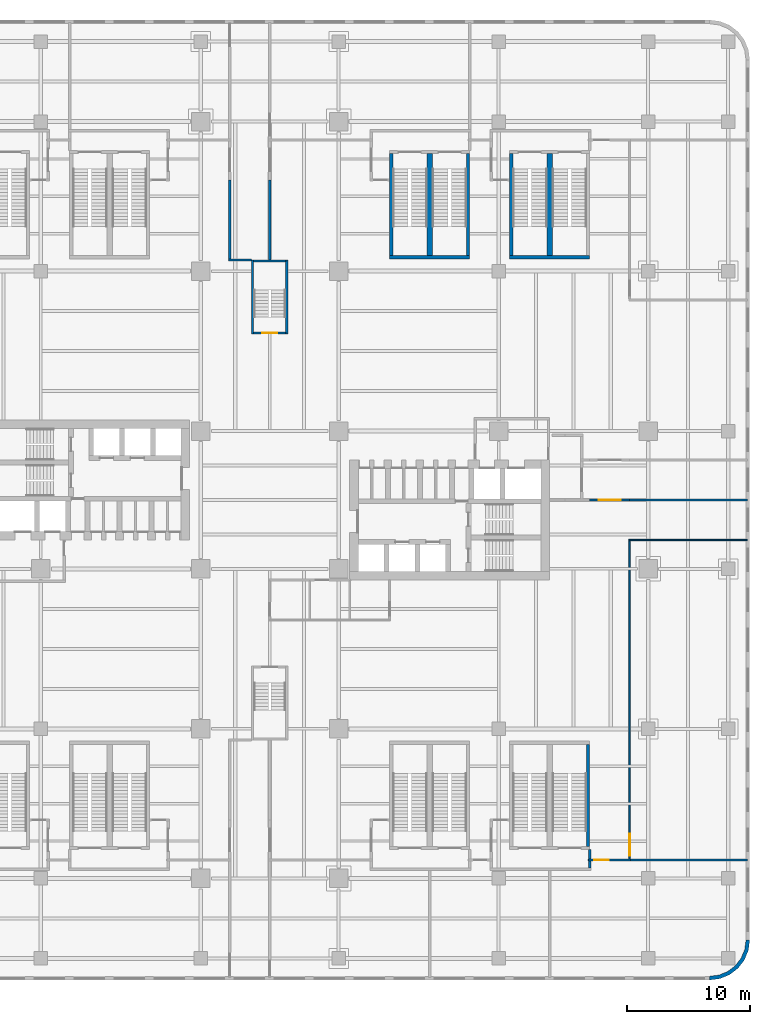
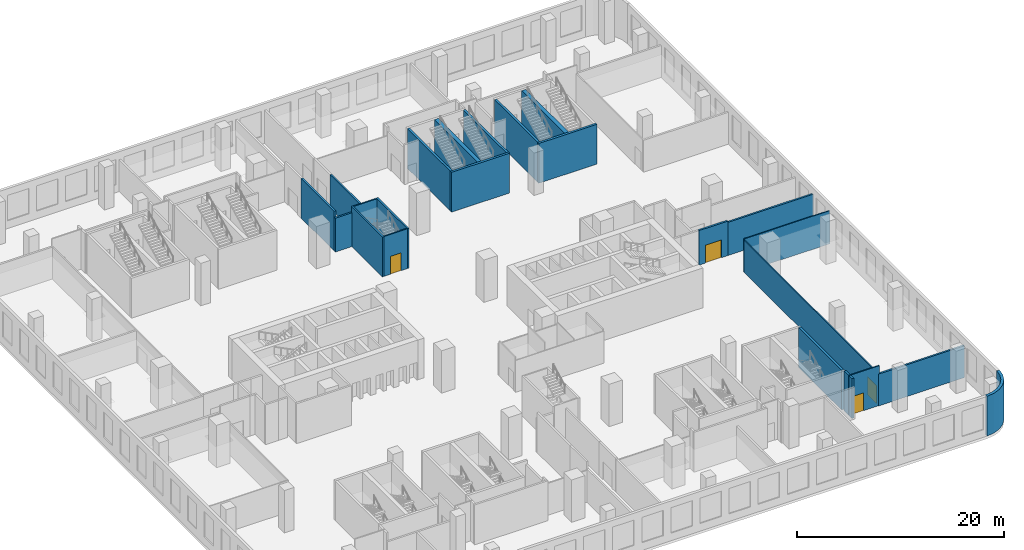
# One storey, part 11 of 17: 24 walls, 4 doors, 4 openings.
"""IFC4 building model written with IfcOpenShell, lengths in metres."""

from ifc_helpers import new_model, si_unit, direction, frame, frame_2d, origin, place, context, subcontext, project, spatial, polyline, rectangle, outline, extrude, source, transform, mapped, material, layer, layer_set, type_object, element, fill, save


model = new_model("IFC4")

# Units and contexts
model_context = context("Model", 3, precision=1e-05, world=origin(), true_north=direction((0.0, 1.0)))
body_context = subcontext(model_context, "Body", "Model", "MODEL_VIEW")
ifc_project = project(units=[si_unit("LENGTHUNIT", "METRE"), si_unit("AREAUNIT", "SQUARE_METRE"), si_unit("VOLUMEUNIT", "CUBIC_METRE"), si_unit("PLANEANGLEUNIT", "RADIAN"), si_unit("MASSUNIT", "GRAM", prefix="KILO")], contexts=[model_context])

# Site, building, storey
site_placement = place(None, origin())
site = spatial("IfcSite", under=ifc_project, at=site_placement, CompositionType="ELEMENT")
building_placement = place(site_placement, origin())
building = spatial("IfcBuilding", under=site, at=building_placement, Name="Trellis Farm Tower", CompositionType="ELEMENT")
storey_placement = place(building_placement, frame((0.0, 0.0, 19.0)))
storey = spatial("IfcBuildingStorey", under=building, at=storey_placement, Name="L03", CompositionType="ELEMENT", Elevation=19.0)

# Wall
ifc_material_1 = material(Name="Plasterboard on steel studs", Category="steel")
ifc_layer_1 = layer(ifc_material_1, 0.10009765625)
ifc_layer_set_1 = layer_set([ifc_layer_1], Name="PARTITION 100 STUD EI 30")
wall_type_1 = type_object("IfcWallType", Name="PARTITION 100 STUD EI 30", PredefinedType="PARTITIONING", material=ifc_layer_set_1)
wall_1_placement = place(storey_placement, frame((29.1875, -3.25, 0.0), z_axis=(0.0, 0.0, 1.0), x_axis=(1.0, 0.0, 0.0)))
element("IfcWall", 1, at=wall_1_placement, inside=storey, type_object=wall_type_1, Name="Partition PW2", PredefinedType="PARTITIONING", context=body_context, shape_type="SweptSolid", body=[
    extrude(rectangle(XDim=9.612548828125, YDim=0.10009765625, at=frame_2d((4.80615234375, 0.0))), origin(), (0.0, 0.0, 1.0), 3.917724609375),
])

# Wall, opening, door
ifc_material_2 = material(Name="Plasterboard on steel studs, mineral wool", Category="steel")
ifc_layer_2 = layer(ifc_material_2, 0.125)
ifc_layer_set_2 = layer_set([ifc_layer_2], Name="PARTITION 125 STUD EI 60")
wall_type_2 = type_object("IfcWallType", Name="PARTITION 125 STUD EI 60", PredefinedType="PARTITIONING", material=ifc_layer_set_2)
wall_2_placement = place(storey_placement, frame((29.25, -3.300048828125, 0.0), z_axis=(0.0, 0.0, 1.0), x_axis=(0.0, -1.0, 0.0)))
wall_2 = element("IfcWall", 2, at=wall_2_placement, inside=storey, type_object=wall_type_2, Name="Partition PW1", PredefinedType="PARTITIONING", context=body_context, shape_type="SweptSolid", body=[
    extrude(rectangle(XDim=25.849853515625, YDim=0.125, at=frame_2d((12.9248046875, 0.0))), origin(), (0.0, 0.0, 1.0), 3.76171875),
])
shared_shape_1 = source(origin(), body_context, "Body", "SweptSolid", [
    extrude(rectangle(XDim=1.800048828125, YDim=2.10009765625, at=frame_2d((0.89990234375, 1.050048828125))), frame((0.0, 0.072509765625, 0.0), z_axis=(0.0, -1.0, 0.0), x_axis=(1.0, 0.0, 0.0)), (0.0, 0.0, 1.0), 0.14501953125),
])
opening_1_placement = place(wall_2_placement, frame((23.800048828125, 0.0, 0.0)))
opening_1 = element("IfcOpeningElement", 3, at=opening_1_placement, cuts=wall_2, Name="Opening D202", PredefinedType="OPENING", context=body_context, shape_type="MappedRepresentation", body=[
    mapped(shared_shape_1, transform((0.0, 0.0, 0.0))),
])
ifc_material_3 = material(Name="Fire-rated timber door leaf in a hollow metal frame", Category="wood")
door_type_1 = type_object("IfcDoorType", Name="DOOR PAIR 1800x2100 FD30S", OperationType="NOTDEFINED", PredefinedType="DOOR", material=ifc_material_3)
shared_shape_2 = source(origin(), body_context, "Body", "SweptSolid", [
    extrude(rectangle(XDim=1.800048828125, YDim=2.10009765625, at=frame_2d((0.89990234375, 1.050048828125))), frame((0.0, 0.02490234375, 0.0), z_axis=(0.0, -1.0, 0.0), x_axis=(1.0, 0.0, 0.0)), (0.0, 0.0, 1.0), 0.050048828125),
])
door_1_placement = place(opening_1_placement, origin())
door_1 = element("IfcDoor", 4, at=door_1_placement, inside=storey, type_object=door_type_1, Name="Door D202", OperationType="DOUBLE_DOOR_SINGLE_SWING", OverallHeight=2.10009765625, OverallWidth=1.800048828125, PredefinedType="DOOR", context=body_context, shape_type="MappedRepresentation", body=[
    mapped(shared_shape_2, transform((0.0, 0.0, 0.0))),
])
fill(opening_1, door_1)

# Walls
ifc_material_4 = material(Name="Concrete C80/95", Category="concrete")
ifc_layer_3 = layer(ifc_material_4, 0.199951171875)
ifc_layer_set_3 = layer_set([ifc_layer_3], Name="CORE STAIR ENCLOSURE WALL 200 CONCRETE C80/95")
wall_type_3 = type_object("IfcWallType", Name="CORE STAIR ENCLOSURE WALL 200 CONCRETE C80/95", PredefinedType="SHEAR", material=ifc_layer_set_3)
shared_shape_3 = source(origin(), body_context, "Body", "SweptSolid", [
    extrude(rectangle(XDim=6.0, YDim=0.199951171875, at=frame_2d((3.0, 0.0))), origin(), (0.0, 0.0, 1.0), 4.699951171875),
])
for number, where, z_axis, x_axis, name in (
    (5, (-1.39990234375, 13.5, 0.0), (0.0, 0.0, 1.0), (0.0, 1.0, 0.0), "Stair enclosure wall"),
    (6, (1.39990234375, 13.5, 0.0), (0.0, 0.0, 1.0), (0.0, 1.0, 0.0), "Stair enclosure wall"),
):
    element("IfcWall", number, at=place(storey_placement, frame(where, z_axis=z_axis, x_axis=x_axis)), inside=storey, type_object=wall_type_3, Name=name, PredefinedType="SHEAR", context=body_context, shape_type="MappedRepresentation", body=[
        mapped(shared_shape_3, transform((0.0, 0.0, 0.0))),
    ])

# Wall, opening, door
ifc_layer_4 = layer(ifc_material_4, 0.14990234375)
ifc_layer_set_4 = layer_set([ifc_layer_4], Name="CORE STAIR ENCLOSURE WALL 150 CONCRETE C80/95")
wall_type_4 = type_object("IfcWallType", Name="CORE STAIR ENCLOSURE WALL 150 CONCRETE C80/95", PredefinedType="SHEAR", material=ifc_layer_set_4)
shared_shape_4 = source(origin(), body_context, "Body", "SweptSolid", [
    extrude(rectangle(XDim=2.60009765625, YDim=0.14990234375, at=frame_2d((1.300048828125, 0.0))), origin(), (0.0, 0.0, 1.0), 4.699951171875),
])
wall_3_placement = place(storey_placement, frame((-1.300048828125, 13.574951171875, 0.0), z_axis=(0.0, 0.0, 1.0), x_axis=(1.0, 0.0, 0.0)))
wall_3 = element("IfcWall", 7, at=wall_3_placement, inside=storey, type_object=wall_type_4, Name="Stair enclosure wall", PredefinedType="SHEAR", context=body_context, shape_type="MappedRepresentation", body=[
    mapped(shared_shape_4, transform((0.0, 0.0, 0.0))),
])
shared_shape_5 = source(origin(), body_context, "Body", "SweptSolid", [
    extrude(rectangle(XDim=1.199951171875, YDim=2.10009765625, at=frame_2d((0.60009765625, 1.050048828125))), frame((0.0, 0.0849609375, 0.0), z_axis=(0.0, -1.0, 0.0), x_axis=(1.0, 0.0, 0.0)), (0.0, 0.0, 1.0), 0.169921875),
])
opening_2_placement = place(wall_3_placement, frame((0.699951171875, 0.0, 0.0)))
opening_2 = element("IfcOpeningElement", 8, at=opening_2_placement, cuts=wall_3, Name="Opening DC173", PredefinedType="OPENING", context=body_context, shape_type="MappedRepresentation", body=[
    mapped(shared_shape_5, transform((0.0, 0.0, 0.0))),
])
ifc_material_5 = material(Name="Steel", Category="steel")
door_type_2 = type_object("IfcDoorType", Name="CORE FIRE DOOR 1200 X 2100", OperationType="NOTDEFINED", PredefinedType="DOOR", material=ifc_material_5)
shared_shape_6 = source(origin(), body_context, "Body", "SweptSolid", [
    extrude(rectangle(XDim=1.199951171875, YDim=2.10009765625, at=frame_2d((0.60009765625, 1.050048828125))), frame((0.0, 0.02490234375, 0.0), z_axis=(0.0, -1.0, 0.0), x_axis=(1.0, 0.0, 0.0)), (0.0, 0.0, 1.0), 0.050048828125),
])
door_2_placement = place(opening_2_placement, origin())
door_2 = element("IfcDoor", 9, at=door_2_placement, inside=storey, type_object=door_type_2, Name="Core door", OperationType="SINGLE_SWING_LEFT", OverallHeight=2.10009765625, OverallWidth=1.199951171875, PredefinedType="DOOR", context=body_context, shape_type="MappedRepresentation", body=[
    mapped(shared_shape_6, transform((0.0, 0.0, 0.0))),
])
fill(opening_2, door_2)

# Walls
wall_4_placement = place(storey_placement, frame((-1.300048828125, 19.425048828125, 0.0), z_axis=(0.0, 0.0, 1.0), x_axis=(1.0, 0.0, 0.0)))
element("IfcWall", 10, at=wall_4_placement, inside=storey, type_object=wall_type_4, Name="Stair enclosure wall", PredefinedType="SHEAR", context=body_context, shape_type="MappedRepresentation", body=[
    mapped(shared_shape_4, transform((0.0, 0.0, 0.0))),
])
ifc_layer_5 = layer(ifc_material_4, 0.25)
ifc_layer_set_5 = layer_set([ifc_layer_5], Name="CORE STAIR ENCLOSURE WALL 250 CONCRETE C80/95")
wall_type_5 = type_object("IfcWallType", Name="CORE STAIR ENCLOSURE WALL 250 CONCRETE C80/95", PredefinedType="SHEAR", material=ifc_layer_set_5)
shared_shape_7 = source(origin(), body_context, "Body", "SweptSolid", [
    extrude(rectangle(XDim=6.5, YDim=0.25, at=frame_2d((3.25, 0.0))), origin(), (0.0, 0.0, 1.0), 4.699951171875),
])
for number, where, z_axis, x_axis, name in (
    (11, (9.75, 19.72509765625, 0.0), (0.0, 0.0, 1.0), (1.0, 0.0, 0.0), "Podium stair enclosure wall"),
    (12, (19.5, 19.72509765625, 0.0), (0.0, 0.0, 1.0), (1.0, 0.0, 0.0), "Podium stair enclosure wall"),
):
    element("IfcWall", number, at=place(storey_placement, frame(where, z_axis=z_axis, x_axis=x_axis)), inside=storey, type_object=wall_type_5, Name=name, PredefinedType="SHEAR", context=body_context, shape_type="MappedRepresentation", body=[
        mapped(shared_shape_7, transform((0.0, 0.0, 0.0))),
    ])
shared_shape_8 = source(origin(), body_context, "Body", "SweptSolid", [
    extrude(rectangle(XDim=8.2998046875, YDim=0.25, at=frame_2d((4.14990234375, 0.0))), origin(), (0.0, 0.0, 1.0), 4.699951171875),
])
for number, where, z_axis, x_axis, name in (
    (13, (9.875, 19.85009765625, 0.0), (0.0, 0.0, 1.0), (0.0, 1.0, 0.0), "Podium stair enclosure wall"),
    (14, (16.125, 19.85009765625, 0.0), (0.0, 0.0, 1.0), (0.0, 1.0, 0.0), "Podium stair enclosure wall"),
    (15, (19.625, 19.85009765625, 0.0), (0.0, 0.0, 1.0), (0.0, 1.0, 0.0), "Podium stair enclosure wall"),
    (16, (25.875, -28.14990234375, 0.0), (0.0, 0.0, 1.0), (0.0, 1.0, 0.0), "Podium stair enclosure wall"),
):
    element("IfcWall", number, at=place(storey_placement, frame(where, z_axis=z_axis, x_axis=x_axis)), inside=storey, type_object=wall_type_5, Name=name, PredefinedType="SHEAR", context=body_context, shape_type="MappedRepresentation", body=[
        mapped(shared_shape_8, transform((0.0, 0.0, 0.0))),
    ])
ifc_layer_6 = layer(ifc_material_4, 0.43994140625)
ifc_layer_set_6 = layer_set([ifc_layer_6], Name="CORE STAIR ENCLOSURE WALL 440 CONCRETE C80/95")
wall_type_6 = type_object("IfcWallType", Name="CORE STAIR ENCLOSURE WALL 440 CONCRETE C80/95", PredefinedType="SHEAR", material=ifc_layer_set_6)
shared_shape_9 = source(origin(), body_context, "Body", "SweptSolid", [
    extrude(rectangle(XDim=8.2998046875, YDim=0.43994140625, at=frame_2d((4.14990234375, 0.0))), origin(), (0.0, 0.0, 1.0), 4.699951171875),
])
for number, where, z_axis, x_axis, name in (
    (17, (13.0, 19.85009765625, 0.0), (0.0, 0.0, 1.0), (0.0, 1.0, 0.0), "Podium stair enclosure wall"),
    (18, (22.75, 19.85009765625, 0.0), (0.0, 0.0, 1.0), (0.0, 1.0, 0.0), "Podium stair enclosure wall"),
):
    element("IfcWall", number, at=place(storey_placement, frame(where, z_axis=z_axis, x_axis=x_axis)), inside=storey, type_object=wall_type_6, Name=name, PredefinedType="SHEAR", context=body_context, shape_type="MappedRepresentation", body=[
        mapped(shared_shape_9, transform((0.0, 0.0, 0.0))),
    ])
ifc_material_6 = material(Name="Sandstone faced insulated wall", Category="masonry")
ifc_layer_7 = layer(ifc_material_6, 0.300048828125)
ifc_layer_set_7 = layer_set([ifc_layer_7], Name="STONE CLAD EXTERNAL WALL 300")
wall_type_7 = type_object("IfcWallType", Name="STONE CLAD EXTERNAL WALL 300", PredefinedType="SOLIDWALL", material=ifc_layer_set_7)
shared_shape_10 = source(origin(), body_context, "Body", "SweptSolid", [
    extrude(outline(polyline([(35.75, -39.0), (36.591064453125, -38.88916015625), (37.375, -38.564697265625), (38.048095703125, -38.048095703125), (38.564697265625, -37.375), (38.88916015625, -36.591064453125), (39.0, -35.75), (38.699951171875, -35.730224609375), (38.596923828125, -36.512939453125), (38.302490234375, -37.2236328125), (37.834228515625, -37.834228515625), (37.2236328125, -38.302490234375), (36.512939453125, -38.596923828125), (35.730224609375, -38.699951171875), (35.75, -39.0)])), origin(), (0.0, 0.0, 1.0), 4.699951171875),
])
wall_5_placement = place(storey_placement, origin())
element("IfcWall", 19, at=wall_5_placement, inside=storey, type_object=wall_type_7, Name="EW2 C04", PredefinedType="SOLIDWALL", context=body_context, shape_type="MappedRepresentation", body=[
    mapped(shared_shape_10, transform((0.0, 0.0, 0.0))),
])
ifc_material_7 = material(Name="Lightweight blockwork, plastered", Category="masonry")
ifc_layer_8 = layer(ifc_material_7, 0.199951171875)
ifc_layer_set_8 = layer_set([ifc_layer_8], Name="BLOCK WALL 200 EI 120")
wall_type_8 = type_object("IfcWallType", Name="BLOCK WALL 200 EI 120", PredefinedType="PARTITIONING", material=ifc_layer_set_8)
shared_shape_11 = source(origin(), body_context, "Body", "SweptSolid", [
    extrude(rectangle(XDim=0.78759765625, YDim=0.199951171875, at=frame_2d((0.393798828125, 0.0))), origin(), (0.0, 0.0, 1.0), 4.699951171875),
])
wall_6_placement = place(storey_placement, frame((26.0, -29.1875, 0.0), z_axis=(0.0, 0.0, 1.0), x_axis=(0.0, 1.0, 0.0)))
element("IfcWall", 20, at=wall_6_placement, inside=storey, type_object=wall_type_8, Name="Partition PW3", PredefinedType="PARTITIONING", context=body_context, shape_type="MappedRepresentation", body=[
    mapped(shared_shape_11, transform((0.0, 0.0, 0.0))),
])
shared_shape_12 = source(origin(), body_context, "Body", "SweptSolid", [
    extrude(rectangle(XDim=0.58740234375, YDim=0.199951171875, at=frame_2d((0.293701171875, 0.0))), origin(), (0.0, 0.0, 1.0), 4.699951171875),
])
wall_7_placement = place(storey_placement, frame((26.0, -29.3125, 0.0), z_axis=(0.0, 0.0, 1.0), x_axis=(0.0, -1.0, 0.0)))
element("IfcWall", 21, at=wall_7_placement, inside=storey, type_object=wall_type_8, Name="Partition PW3", PredefinedType="PARTITIONING", context=body_context, shape_type="MappedRepresentation", body=[
    mapped(shared_shape_12, transform((0.0, 0.0, 0.0))),
])
shared_shape_13 = source(origin(), body_context, "Body", "SweptSolid", [
    extrude(rectangle(XDim=6.39990234375, YDim=0.199951171875, at=frame_2d((3.199951171875, 0.0))), origin(), (0.0, 0.0, 1.0), 4.699951171875),
])
wall_8_placement = place(storey_placement, frame((-3.25, 26.0, 0.0), z_axis=(0.0, 0.0, 1.0), x_axis=(0.0, -1.0, 0.0)))
element("IfcWall", 22, at=wall_8_placement, inside=storey, type_object=wall_type_8, Name="Partition PW3", PredefinedType="PARTITIONING", context=body_context, shape_type="MappedRepresentation", body=[
    mapped(shared_shape_13, transform((0.0, 0.0, 0.0))),
])
shared_shape_14 = source(origin(), body_context, "Body", "SweptSolid", [
    extrude(rectangle(XDim=6.5, YDim=0.199951171875, at=frame_2d((3.25, 0.0))), origin(), (0.0, 0.0, 1.0), 3.996337890625),
])
wall_9_placement = place(storey_placement, frame((0.0, 26.0, 0.0), z_axis=(0.0, 0.0, 1.0), x_axis=(0.0, -1.0, 0.0)))
element("IfcWall", 23, at=wall_9_placement, inside=storey, type_object=wall_type_8, Name="Partition PW3", PredefinedType="PARTITIONING", context=body_context, shape_type="MappedRepresentation", body=[
    mapped(shared_shape_14, transform((0.0, 0.0, 0.0))),
])
shared_shape_15 = source(origin(), body_context, "Body", "SweptSolid", [
    extrude(rectangle(XDim=9.550048828125, YDim=0.199951171875, at=frame_2d((4.77490234375, 0.0))), origin(), (0.0, 0.0, 1.0), 3.917724609375),
])
wall_10_placement = place(storey_placement, frame((38.800048828125, 0.0, 0.0), z_axis=(0.0, 0.0, 1.0), x_axis=(-1.0, 0.0, 0.0)))
element("IfcWall", 24, at=wall_10_placement, inside=storey, type_object=wall_type_8, Name="Partition PW3", PredefinedType="PARTITIONING", context=body_context, shape_type="MappedRepresentation", body=[
    mapped(shared_shape_15, transform((0.0, 0.0, 0.0))),
])
shared_shape_16 = source(origin(), body_context, "Body", "SweptSolid", [
    extrude(rectangle(XDim=9.612548828125, YDim=0.199951171875, at=frame_2d((4.80615234375, 0.0))), origin(), (0.0, 0.0, 1.0), 3.76171875),
])
wall_11_placement = place(storey_placement, frame((29.1875, -29.25, 0.0), z_axis=(0.0, 0.0, 1.0), x_axis=(1.0, 0.0, 0.0)))
element("IfcWall", 25, at=wall_11_placement, inside=storey, type_object=wall_type_8, Name="Partition PW3", PredefinedType="PARTITIONING", context=body_context, shape_type="MappedRepresentation", body=[
    mapped(shared_shape_16, transform((0.0, 0.0, 0.0))),
])

# Wall, opening, door
shared_shape_17 = source(origin(), body_context, "Body", "SweptSolid", [
    extrude(rectangle(XDim=3.41259765625, YDim=0.125, at=frame_2d((1.706298828125, 0.0))), origin(), (0.0, 0.0, 1.0), 4.699951171875),
])
wall_12_placement = place(storey_placement, frame((29.3125, -29.25, 0.0), z_axis=(0.0, 0.0, 1.0), x_axis=(-1.0, 0.0, 0.0)))
wall_12 = element("IfcWall", 26, at=wall_12_placement, inside=storey, type_object=wall_type_2, Name="Partition PW1", PredefinedType="PARTITIONING", context=body_context, shape_type="MappedRepresentation", body=[
    mapped(shared_shape_17, transform((0.0, 0.0, 0.0))),
])
shared_shape_18 = source(origin(), body_context, "Body", "SweptSolid", [
    extrude(rectangle(XDim=1.199951171875, YDim=2.10009765625, at=frame_2d((0.60009765625, 1.050048828125))), frame((0.0, 0.072509765625, 0.0), z_axis=(0.0, -1.0, 0.0), x_axis=(1.0, 0.0, 0.0)), (0.0, 0.0, 1.0), 0.14501953125),
])
opening_3_placement = place(wall_12_placement, frame((1.762451171875, 0.0, 0.0)))
opening_3 = element("IfcOpeningElement", 27, at=opening_3_placement, cuts=wall_12, Name="Opening D603", PredefinedType="OPENING", context=body_context, shape_type="MappedRepresentation", body=[
    mapped(shared_shape_18, transform((0.0, 0.0, 0.0))),
])
door_type_3 = type_object("IfcDoorType", Name="DOOR 1200x2100 FD30S", OperationType="NOTDEFINED", PredefinedType="DOOR", material=ifc_material_3)
door_3_placement = place(opening_3_placement, origin())
door_3 = element("IfcDoor", 28, at=door_3_placement, inside=storey, type_object=door_type_3, Name="Door D603", OperationType="SINGLE_SWING_RIGHT", OverallHeight=2.10009765625, OverallWidth=1.199951171875, PredefinedType="DOOR", context=body_context, shape_type="MappedRepresentation", body=[
    mapped(shared_shape_6, transform((0.0, 0.0, 0.0))),
])
fill(opening_3, door_3)

shared_shape_19 = source(origin(), body_context, "Body", "SweptSolid", [
    extrude(rectangle(XDim=3.25, YDim=0.199951171875, at=frame_2d((1.625, 0.0))), origin(), (0.0, 0.0, 1.0), 4.077392578125),
])
wall_13_placement = place(storey_placement, frame((29.25, 0.0, 0.0), z_axis=(0.0, 0.0, 1.0), x_axis=(-1.0, 0.0, 0.0)))
wall_13 = element("IfcWall", 29, at=wall_13_placement, inside=storey, type_object=wall_type_8, Name="Partition PW3", PredefinedType="PARTITIONING", context=body_context, shape_type="MappedRepresentation", body=[
    mapped(shared_shape_19, transform((0.0, 0.0, 0.0))),
])
shared_shape_20 = source(origin(), body_context, "Body", "SweptSolid", [
    extrude(rectangle(XDim=1.800048828125, YDim=2.10009765625, at=frame_2d((0.89990234375, 1.050048828125))), frame((0.0, 0.110107421875, 0.0), z_axis=(0.0, -1.0, 0.0), x_axis=(1.0, 0.0, 0.0)), (0.0, 0.0, 1.0), 0.22021484375),
])
opening_4_placement = place(wall_13_placement, frame((0.72509765625, 0.0, 0.0)))
opening_4 = element("IfcOpeningElement", 30, at=opening_4_placement, cuts=wall_13, Name="Opening D410", PredefinedType="OPENING", context=body_context, shape_type="MappedRepresentation", body=[
    mapped(shared_shape_20, transform((0.0, 0.0, 0.0))),
])
door_type_4 = type_object("IfcDoorType", Name="DOOR PAIR 1800x2100 FD60", OperationType="NOTDEFINED", PredefinedType="DOOR", material=ifc_material_3)
door_4_placement = place(opening_4_placement, origin())
door_4 = element("IfcDoor", 31, at=door_4_placement, inside=storey, type_object=door_type_4, Name="Door D410", OperationType="DOUBLE_DOOR_SINGLE_SWING", OverallHeight=2.10009765625, OverallWidth=1.800048828125, PredefinedType="DOOR", context=body_context, shape_type="MappedRepresentation", body=[
    mapped(shared_shape_2, transform((0.0, 0.0, 0.0))),
])
fill(opening_4, door_4)

# Wall
shared_shape_21 = source(origin(), body_context, "Body", "SweptSolid", [
    extrude(rectangle(XDim=1.85009765625, YDim=0.199951171875, at=frame_2d((0.925048828125, 0.0))), origin(), (0.0, 0.0, 1.0), 3.996337890625),
])
wall_14_placement = place(storey_placement, frame((-1.5, 19.5, 0.0), z_axis=(0.0, 0.0, 1.0), x_axis=(-1.0, 0.0, 0.0)))
element("IfcWall", 32, at=wall_14_placement, inside=storey, type_object=wall_type_8, Name="Partition PW3", PredefinedType="PARTITIONING", context=body_context, shape_type="MappedRepresentation", body=[
    mapped(shared_shape_21, transform((0.0, 0.0, 0.0))),
])

save(model, "model.ifc")
